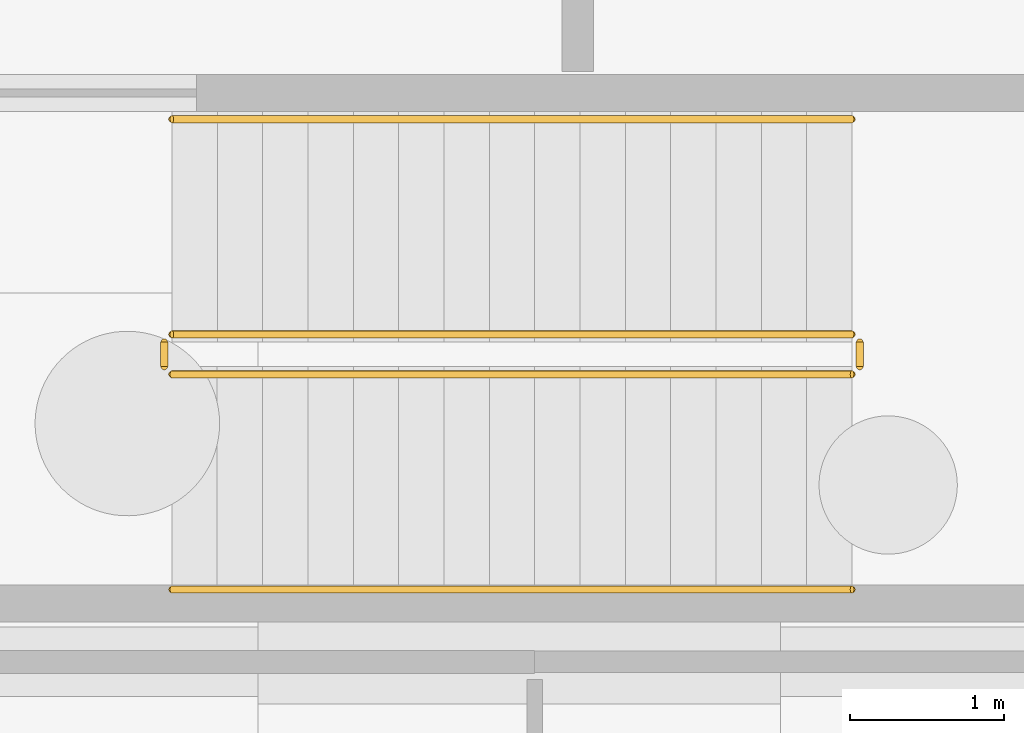
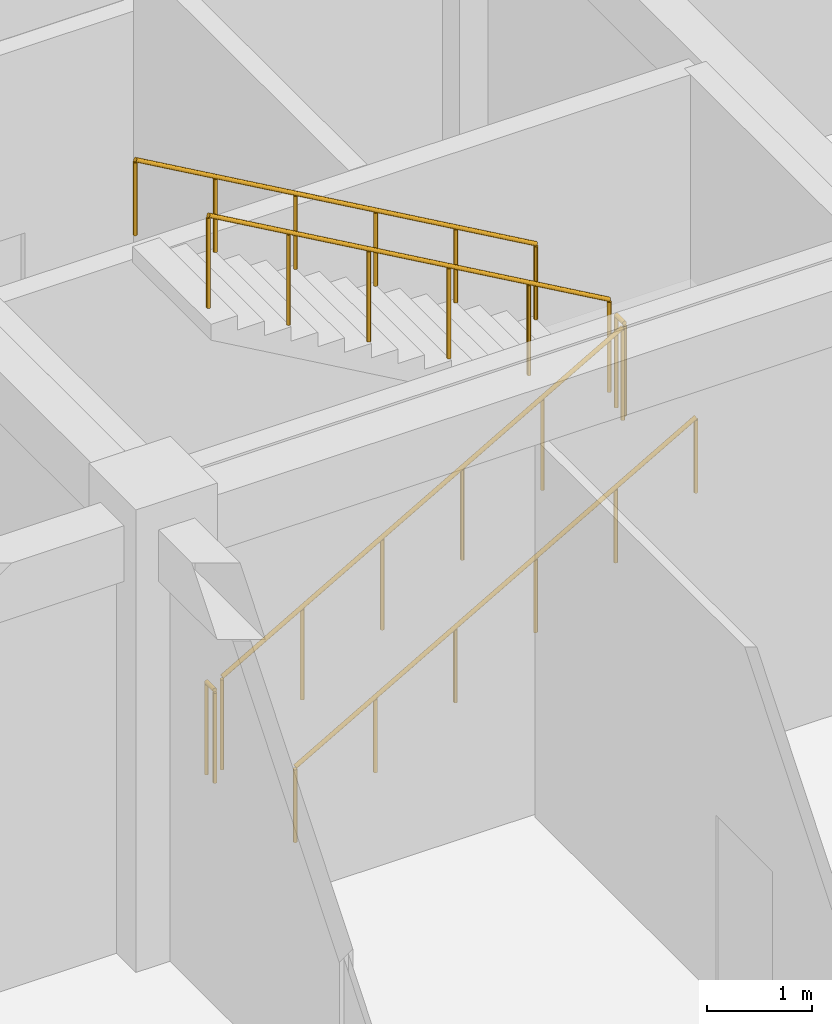
# One storey, part 62 of 65: 6 railings.
"""IFC4 building model written with IfcOpenShell, lengths in metres."""

from ifc_helpers import new_model, si_unit, direction, frame, origin, origin_2d, place, context, subcontext, project, spatial, circle, extrude, material, type_object, element, save


model = new_model("IFC4")

# Units and contexts
model_context = context("Model", 3, precision=1e-05, world=origin(), true_north=direction((0.0, 1.0)))
body_context = subcontext(model_context, "Body", "Model", "MODEL_VIEW")
ifc_project = project(units=[si_unit("LENGTHUNIT", "METRE"), si_unit("AREAUNIT", "SQUARE_METRE"), si_unit("VOLUMEUNIT", "CUBIC_METRE"), si_unit("PLANEANGLEUNIT", "RADIAN"), si_unit("MASSUNIT", "GRAM", prefix="KILO")], contexts=[model_context])

# Site, building, storey
site_placement = place(None, origin())
site = spatial("IfcSite", under=ifc_project, at=site_placement, CompositionType="ELEMENT")
building_placement = place(site_placement, origin())
building = spatial("IfcBuilding", under=site, at=building_placement, Name="Bramfleet General Hospital", CompositionType="ELEMENT")
storey_placement = place(building_placement, frame((0.0, 0.0, -5.39990234375)))
storey = spatial("IfcBuildingStorey", under=building, at=storey_placement, Name="B1", CompositionType="ELEMENT", Elevation=-5.39990234375)

# Railings
ifc_material_1 = material(Name="Powder-coated steel stair balustrade", Category="steel")
railing_type_1 = type_object("IfcRailingType", Name="RAIL-ST-GUARD", PredefinedType="GUARDRAIL", material=ifc_material_1)
railing_1_placement = place(storey_placement, frame((144.639892578125, 10.27001953125, 0.168701171875)))
element("IfcRailing", 1, at=railing_1_placement, inside=storey, type_object=railing_type_1, Name="B1 ST-C10 stair guard 1", PredefinedType="GUARDRAIL", context=body_context, shape_type="SweptSolid", body=[
    extrude(circle(Radius=0.02392578125, at=origin_2d()), frame((0.0, 0.0, 1.076171875), z_axis=(0.868019072493, 0.0, 0.49653085482), x_axis=(0.0, 1.0, 0.0)), (0.0, 0.0, 1.0), 5.097900390625),
    extrude(circle(Radius=0.02099609375, at=origin_2d()), origin(), (0.0, 0.0, 1.0), 1.052001953125),
    extrude(circle(Radius=0.02099609375, at=origin_2d()), frame((0.885009765625, 0.0, 0.50634765625)), (0.0, 0.0, 1.0), 1.052001953125),
    extrude(circle(Radius=0.02099609375, at=origin_2d()), frame((1.77001953125, 0.0, 1.012451171875)), (0.0, 0.0, 1.0), 1.052001953125),
    extrude(circle(Radius=0.02099609375, at=origin_2d()), frame((2.655029296875, 0.0, 1.518798828125)), (0.0, 0.0, 1.0), 1.052001953125),
    extrude(circle(Radius=0.02099609375, at=origin_2d()), frame((3.5400390625, 0.0, 2.02490234375)), (0.0, 0.0, 1.0), 1.052001953125),
    extrude(circle(Radius=0.02099609375, at=origin_2d()), frame((4.425048828125, 0.0, 2.53125)), (0.0, 0.0, 1.0), 1.052001953125),
])
railing_2_placement = place(storey_placement, frame((149.114990234375, 10.320068359375, 2.699951171875)))
element("IfcRailing", 2, at=railing_2_placement, inside=storey, type_object=railing_type_1, Name="B1 ST-C10 stair guard 2", PredefinedType="GUARDRAIL", context=body_context, shape_type="SweptSolid", body=[
    extrude(circle(Radius=0.02392578125, at=origin_2d()), frame((0.0, 0.0, 1.076171875), z_axis=(0.0, 1.0, 0.0), x_axis=(-1.0, 0.0, 0.0)), (0.0, 0.0, 1.0), 0.159912109375),
    extrude(circle(Radius=0.02099609375, at=origin_2d()), origin(), (0.0, 0.0, 1.0), 1.052001953125),
    extrude(circle(Radius=0.02099609375, at=origin_2d()), frame((0.0, 0.159912109375, 0.0)), (0.0, 0.0, 1.0), 1.052001953125),
])
railing_3_placement = place(storey_placement, frame((149.06494140625, 10.530029296875, 2.86865234375)))
element("IfcRailing", 3, at=railing_3_placement, inside=storey, type_object=railing_type_1, Name="B1 ST-C10 stair guard 3", PredefinedType="GUARDRAIL", context=body_context, shape_type="SweptSolid", body=[
    extrude(circle(Radius=0.02392578125, at=origin_2d()), frame((0.0, 0.0, 1.076171875), z_axis=(-0.868019072493, 0.0, 0.49653085482), x_axis=(0.0, -1.0, 0.0)), (0.0, 0.0, 1.0), 5.097900390625),
    extrude(circle(Radius=0.02099609375, at=origin_2d()), origin(), (0.0, 0.0, 1.0), 1.052001953125),
    extrude(circle(Radius=0.02099609375, at=origin_2d()), frame((-0.885009765625, 0.0, 0.50634765625)), (0.0, 0.0, 1.0), 1.052001953125),
    extrude(circle(Radius=0.02099609375, at=origin_2d()), frame((-1.77001953125, 0.0, 1.012451171875)), (0.0, 0.0, 1.0), 1.052001953125),
    extrude(circle(Radius=0.02099609375, at=origin_2d()), frame((-2.655029296875, 0.0, 1.518798828125)), (0.0, 0.0, 1.0), 1.052001953125),
    extrude(circle(Radius=0.02099609375, at=origin_2d()), frame((-3.5400390625, 0.0, 2.02490234375)), (0.0, 0.0, 1.0), 1.052001953125),
    extrude(circle(Radius=0.02099609375, at=origin_2d()), frame((-4.425048828125, 0.0, 2.53125)), (0.0, 0.0, 1.0), 1.052001953125),
])
railing_4_placement = place(storey_placement, frame((144.590087890625, 10.320068359375, 0.0)))
element("IfcRailing", 4, at=railing_4_placement, inside=storey, type_object=railing_type_1, Name="B1 ST-C10 stair guard 4", PredefinedType="GUARDRAIL", context=body_context, shape_type="SweptSolid", body=[
    extrude(circle(Radius=0.02392578125, at=origin_2d()), frame((0.0, 0.0, 1.076171875), z_axis=(0.0, 1.0, 0.0), x_axis=(-1.0, 0.0, 0.0)), (0.0, 0.0, 1.0), 0.159912109375),
    extrude(circle(Radius=0.02099609375, at=origin_2d()), origin(), (0.0, 0.0, 1.0), 1.052001953125),
    extrude(circle(Radius=0.02099609375, at=origin_2d()), frame((0.0, 0.159912109375, 0.0)), (0.0, 0.0, 1.0), 1.052001953125),
])
ifc_material_2 = material(Name="Stainless steel 1.4301 stair handrail", Category="steel")
railing_type_2 = type_object("IfcRailingType", Name="RAIL-ST-HND", PredefinedType="HANDRAIL", material=ifc_material_2)
railing_5_placement = place(storey_placement, frame((144.639892578125, 8.8701171875, 0.168701171875)))
element("IfcRailing", 5, at=railing_5_placement, inside=storey, type_object=railing_type_2, Name="B1 ST-C10 stair handrail 1", PredefinedType="HANDRAIL", context=body_context, shape_type="SweptSolid", body=[
    extrude(circle(Radius=0.02392578125, at=origin_2d()), frame((0.0, 0.0, 0.8759765625), z_axis=(0.868019072493, 0.0, 0.49653085482), x_axis=(0.0, 1.0, 0.0)), (0.0, 0.0, 1.0), 5.097900390625),
    extrude(circle(Radius=0.02099609375, at=origin_2d()), origin(), (0.0, 0.0, 1.0), 0.851806640625),
    extrude(circle(Radius=0.02099609375, at=origin_2d()), frame((0.885009765625, 0.0, 0.50634765625)), (0.0, 0.0, 1.0), 0.851806640625),
    extrude(circle(Radius=0.02099609375, at=origin_2d()), frame((1.77001953125, 0.0, 1.012451171875)), (0.0, 0.0, 1.0), 0.851806640625),
    extrude(circle(Radius=0.02099609375, at=origin_2d()), frame((2.655029296875, 0.0, 1.518798828125)), (0.0, 0.0, 1.0), 0.851806640625),
    extrude(circle(Radius=0.02099609375, at=origin_2d()), frame((3.5400390625, 0.0, 2.02490234375)), (0.0, 0.0, 1.0), 0.851806640625),
    extrude(circle(Radius=0.02099609375, at=origin_2d()), frame((4.425048828125, 0.0, 2.53125)), (0.0, 0.0, 1.0), 0.851806640625),
])
railing_6_placement = place(storey_placement, frame((149.06494140625, 11.929931640625, 2.86865234375)))
element("IfcRailing", 6, at=railing_6_placement, inside=storey, type_object=railing_type_2, Name="B1 ST-C10 stair handrail 2", PredefinedType="HANDRAIL", context=body_context, shape_type="SweptSolid", body=[
    extrude(circle(Radius=0.02392578125, at=origin_2d()), frame((0.0, 0.0, 0.8759765625), z_axis=(-0.868019072493, 0.0, 0.49653085482), x_axis=(0.0, -1.0, 0.0)), (0.0, 0.0, 1.0), 5.097900390625),
    extrude(circle(Radius=0.02099609375, at=origin_2d()), origin(), (0.0, 0.0, 1.0), 0.851806640625),
    extrude(circle(Radius=0.02099609375, at=origin_2d()), frame((-0.885009765625, 0.0, 0.50634765625)), (0.0, 0.0, 1.0), 0.851806640625),
    extrude(circle(Radius=0.02099609375, at=origin_2d()), frame((-1.77001953125, 0.0, 1.012451171875)), (0.0, 0.0, 1.0), 0.851806640625),
    extrude(circle(Radius=0.02099609375, at=origin_2d()), frame((-2.655029296875, 0.0, 1.518798828125)), (0.0, 0.0, 1.0), 0.851806640625),
    extrude(circle(Radius=0.02099609375, at=origin_2d()), frame((-3.5400390625, 0.0, 2.02490234375)), (0.0, 0.0, 1.0), 0.851806640625),
    extrude(circle(Radius=0.02099609375, at=origin_2d()), frame((-4.425048828125, 0.0, 2.53125)), (0.0, 0.0, 1.0), 0.851806640625),
])

save(model, "model.ifc")
